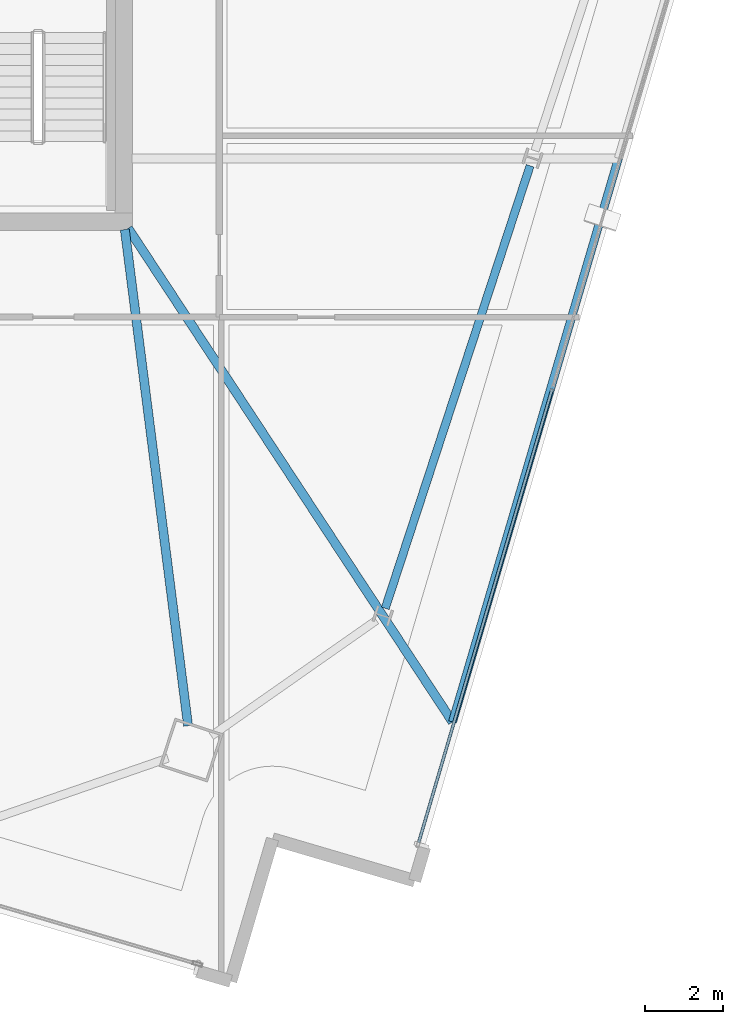
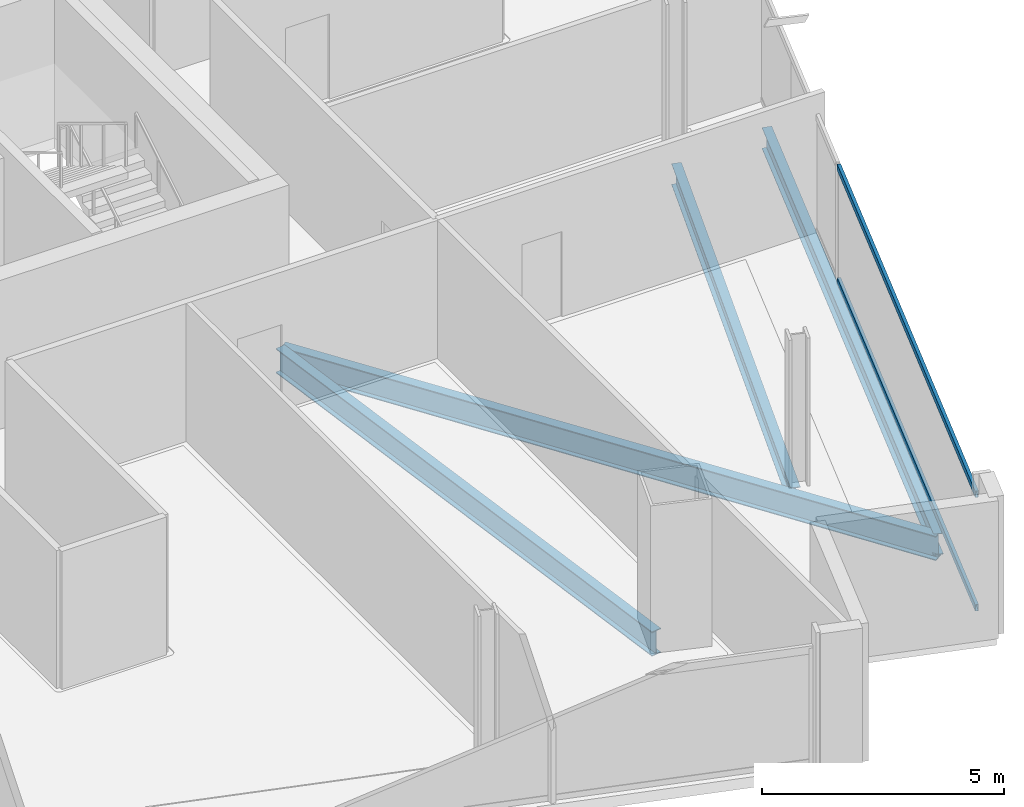
# One storey, part 9 of 26: 4 beams, 2 members, 1 element without a shape of its own.
"""IFC4 building model written with IfcOpenShell, lengths in metres."""

from ifc_helpers import new_model, si_unit, direction, frame, origin, origin_2d, place, context, subcontext, project, spatial, hollow_rectangle, i_section, extrude, material, material_profile, profile_set, type_object, element, aggregate, save


model = new_model("IFC4")

# Units and contexts
model_context = context("Model", 3, precision=1e-05, world=origin(), true_north=direction((0.0, 1.0)))
body_context = subcontext(model_context, "Body", "Model", "MODEL_VIEW")
ifc_project = project(units=[si_unit("LENGTHUNIT", "METRE"), si_unit("AREAUNIT", "SQUARE_METRE"), si_unit("VOLUMEUNIT", "CUBIC_METRE"), si_unit("PLANEANGLEUNIT", "RADIAN"), si_unit("MASSUNIT", "GRAM", prefix="KILO")], contexts=[model_context])

# Site, building, storey
site_placement = place(None, origin())
site = spatial("IfcSite", under=ifc_project, at=site_placement, CompositionType="ELEMENT")
building_placement = place(site_placement, origin())
building = spatial("IfcBuilding", under=site, at=building_placement, Name="Haldenkirk Collegiate Tower", CompositionType="ELEMENT")
storey_placement = place(building_placement, frame((0.0, 0.0, 274.949951171875)))
storey = spatial("IfcBuildingStorey", under=building, at=storey_placement, Name="L69", CompositionType="ELEMENT", Elevation=274.949951171875)

# Beams
ifc_material_1 = material(Name="Steel ASTM A992 Grade 50", Category="steel")
ifc_material_profile_1 = material_profile(ifc_material_1, i_section(OverallWidth=0.22998046875, OverallDepth=0.616943359375, WebThickness=0.01318359375, FlangeThickness=0.022216796875, at=origin_2d()), Name="W24X94")
ifc_profile_set_1 = profile_set([ifc_material_profile_1], Name="Steel ASTM A992 Grade 50")
beam_type_1 = type_object("IfcBeamType", Name="BM-GIRDER-W24X94", PredefinedType="BEAM", material=ifc_profile_set_1)
beam_1_placement = place(storey_placement, frame((46.6484375, 5.0693359375, -0.578369140625), z_axis=(-0.126462976839, 0.991971327957, 0.0), x_axis=(-0.991971327957, -0.126462976839, 0.0)))
element("IfcBeam", 1, at=beam_1_placement, inside=storey, type_object=beam_type_1, Name="L69 primary floor girder 01", PredefinedType="BEAM", context=body_context, shape_type="SweptSolid", body=[
    extrude(i_section(OverallWidth=0.22998046875, OverallDepth=0.616943359375, WebThickness=0.01318359375, FlangeThickness=0.022216796875, at=origin_2d()), origin(), (0.0, 0.0, 1.0), 12.830322265625),
])
beam_2_placement = place(storey_placement, frame((53.431884765625, 5.165771484375, -0.578369140625), z_axis=(-0.549087531456, 0.835764848985, 0.0), x_axis=(-0.835764848985, -0.549087531456, 0.0)))
element("IfcBeam", 2, at=beam_2_placement, inside=storey, type_object=beam_type_1, Name="L69 primary floor girder 05", PredefinedType="BEAM", context=body_context, shape_type="SweptSolid", body=[
    extrude(i_section(OverallWidth=0.22998046875, OverallDepth=0.616943359375, WebThickness=0.01318359375, FlangeThickness=0.022216796875, at=origin_2d()), origin(), (0.0, 0.0, 1.0), 15.151123046875),
])
ifc_material_profile_2 = material_profile(ifc_material_1, i_section(OverallWidth=0.2099609375, OverallDepth=0.537109375, WebThickness=0.010986328125, FlangeThickness=0.017333984375, at=origin_2d()), Name="W21X68")
ifc_profile_set_2 = profile_set([ifc_material_profile_2], Name="Steel ASTM A992 Grade 50")
beam_type_2 = type_object("IfcBeamType", Name="BM-SPANDREL-W21X68", PredefinedType="SPANDREL", material=ifc_profile_set_2)
beam_3_placement = place(storey_placement, frame((51.7060546875, 8.081298828125, -0.538330078125), z_axis=(0.311010188249, 0.950406577631, 0.0), x_axis=(-0.950406577631, 0.311010188249, 0.0)))
element("IfcBeam", 3, at=beam_3_placement, inside=storey, type_object=beam_type_2, Name="L69 perimeter spandrel beam 02", PredefinedType="SPANDREL", context=body_context, shape_type="SweptSolid", body=[
    extrude(i_section(OverallWidth=0.2099609375, OverallDepth=0.537109375, WebThickness=0.010986328125, FlangeThickness=0.017333984375, at=origin_2d()), origin(), (0.0, 0.0, 1.0), 11.94287109375),
])
beam_4_placement = place(storey_placement, frame((53.431884765625, 5.165771484375, -0.538330078125), z_axis=(0.282341718204, 0.959313897617, 0.0), x_axis=(-0.959313897617, 0.282341718204, 0.0)))
element("IfcBeam", 4, at=beam_4_placement, inside=storey, type_object=beam_type_2, Name="L69 outer facade edge beam 1A", PredefinedType="SPANDREL", context=body_context, shape_type="SweptSolid", body=[
    extrude(i_section(OverallWidth=0.2099609375, OverallDepth=0.537109375, WebThickness=0.010986328125, FlangeThickness=0.017333984375, at=origin_2d()), origin(), (0.0, 0.0, 1.0), 15.07177734375),
])

# Curtain wall, members
ifc_material_2 = material(Name="Anodised architectural bronze aluminium", Category="aluminium")
curtain_wall_type = type_object("IfcCurtainWallType", Name="CW-SYS2-CONCAVE", PredefinedType="USERDEFINED", material=ifc_material_2)
curtain_wall_placement = place(storey_placement, origin())
curtain_wall = element("IfcCurtainWall", 5, at=curtain_wall_placement, inside=storey, type_object=curtain_wall_type, Name="L69 South concave recessed bronze-anodised curtain wall", ObjectType="UNITISED CURTAIN WALL", PredefinedType="USERDEFINED")
ifc_material_profile_3 = material_profile(ifc_material_2, hollow_rectangle(XDim=0.074951171875, YDim=0.159912109375, WallThickness=0.0048828125, at=origin_2d()), Name="CW-TRN-02")
ifc_profile_set_3 = profile_set([ifc_material_profile_3], Name="Anodised architectural bronze aluminium")
member_type = type_object("IfcMemberType", Name="CW-TRN-02", PredefinedType="USERDEFINED", material=ifc_profile_set_3)
member_1_placement = place(storey_placement, frame((55.986083984375, 13.70263671875, 0.03759765625), z_axis=(-0.282334257483, -0.959316093397, 0.0), x_axis=(0.959316093397, -0.282334257483, 0.0)))
member_1 = element("IfcMember", 6, at=member_1_placement, type_object=member_type, Name="CW-02 transom 3.1", ObjectType="TRANSOM", PredefinedType="USERDEFINED", context=body_context, shape_type="SweptSolid", body=[
    extrude(hollow_rectangle(XDim=0.074951171875, YDim=0.159912109375, WallThickness=0.0048828125, at=origin_2d()), origin(), (0.0, 0.0, 1.0), 12.120849609375),
])
member_2_placement = place(storey_placement, frame((55.986083984375, 13.70263671875, 2.900634765625), z_axis=(-0.282334257483, -0.959316093397, 0.0), x_axis=(0.959316093397, -0.282334257483, 0.0)))
member_2 = element("IfcMember", 7, at=member_2_placement, type_object=member_type, Name="CW-02 transom 3.2", ObjectType="TRANSOM", PredefinedType="USERDEFINED", context=body_context, shape_type="SweptSolid", body=[
    extrude(hollow_rectangle(XDim=0.074951171875, YDim=0.159912109375, WallThickness=0.0048828125, at=origin_2d()), origin(), (0.0, 0.0, 1.0), 12.120849609375),
])
aggregate(curtain_wall, [member_1, member_2])

save(model, "model.ifc")
